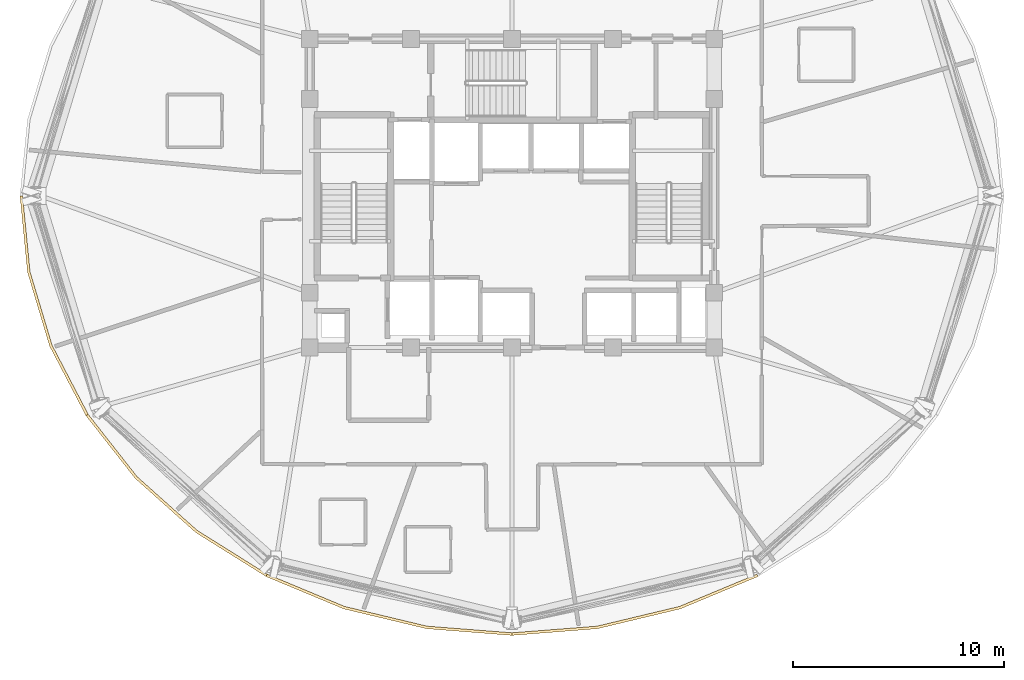
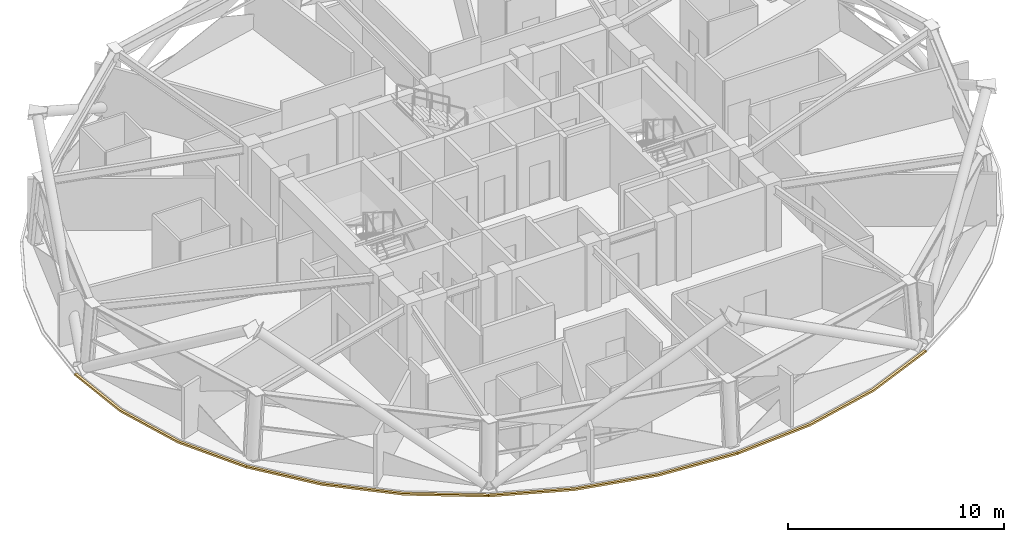
# One storey, part 9 of 12: 4 coverings.
"""IFC4 building model written with IfcOpenShell, lengths in metres."""

from ifc_helpers import new_model, si_unit, direction, frame, origin, place, context, subcontext, project, spatial, polyline, outline, extrude, material, layer, layer_set, type_object, element, save


model = new_model("IFC4")

# Units and contexts
model_context = context("Model", 3, precision=1e-05, world=origin(), true_north=direction((0.0, 1.0)))
body_context = subcontext(model_context, "Body", "Model", "MODEL_VIEW")
ifc_project = project(units=[si_unit("LENGTHUNIT", "METRE"), si_unit("AREAUNIT", "SQUARE_METRE"), si_unit("VOLUMEUNIT", "CUBIC_METRE"), si_unit("PLANEANGLEUNIT", "RADIAN"), si_unit("MASSUNIT", "GRAM", prefix="KILO")], contexts=[model_context])

# Site, building, storey
site_placement = place(None, origin())
site = spatial("IfcSite", under=ifc_project, at=site_placement, CompositionType="ELEMENT")
building_placement = place(site_placement, origin())
building = spatial("IfcBuilding", under=site, at=building_placement, Name="Vantalir Tower", CompositionType="ELEMENT")
storey_placement = place(building_placement, frame((0.0, 0.0, 197.39990234375)))
storey = spatial("IfcBuildingStorey", under=building, at=storey_placement, Name="L49", CompositionType="ELEMENT", Elevation=197.39990234375)

# Coverings
ifc_material = material(Name="Anodised champagne aluminium sill fascia", Category="aluminium")
ifc_layer = layer(ifc_material, 0.125)
ifc_layer_set = layer_set([ifc_layer], Name="Anodised champagne aluminium sill fascia")
covering_type = type_object("IfcCoveringType", Name="COV-SLAB-FASCIA-125", PredefinedType="CLADDING", material=ifc_layer_set)
covering_1_placement = place(storey_placement, frame((0.0, 0.0, -0.179931640625)))
element("IfcCovering", 1, at=covering_1_placement, inside=storey, type_object=covering_type, Name="L49 Perimeter Slab-Edge Sill Fascia 07", PredefinedType="CLADDING", context=body_context, shape_type="SweptSolid", body=[
    extrude(outline(polyline([(8.14892578125, 25.0), (8.50390625, 21.376953125), (9.556884765625, 17.864013671875), (11.277099609375, 14.568115234375), (11.385986328125, 14.631103515625), (9.675048828125, 17.906982421875), (8.626953125, 21.39892578125), (8.27392578125, 25.0), (8.14892578125, 25.0)])), origin(), (0.0, 0.0, 1.0), 0.10498046875),
])
covering_2_placement = place(storey_placement, frame((0.0, 0.0, -0.179931640625)))
element("IfcCovering", 2, at=covering_2_placement, inside=storey, type_object=covering_type, Name="L49 Perimeter Slab-Edge Sill Fascia 08", PredefinedType="CLADDING", context=body_context, shape_type="SweptSolid", body=[
    extrude(outline(polyline([(11.277099609375, 14.568115234375), (13.612060546875, 11.590087890625), (16.489990234375, 9.01806640625), (19.823974609375, 6.931884765625), (19.886962890625, 7.0400390625), (16.571044921875, 9.114013671875), (13.7080078125, 11.669921875), (11.385986328125, 14.631103515625), (11.277099609375, 14.568115234375)])), origin(), (0.0, 0.0, 1.0), 0.10498046875),
])
covering_3_placement = place(storey_placement, frame((0.0, 0.0, -0.179931640625)))
element("IfcCovering", 3, at=covering_3_placement, inside=storey, type_object=covering_type, Name="L49 Perimeter Slab-Edge Sill Fascia 09", PredefinedType="CLADDING", context=body_context, shape_type="SweptSolid", body=[
    extrude(outline(polyline([(19.823974609375, 6.931884765625), (23.512939453125, 5.39501953125), (27.445068359375, 4.4541015625), (31.5, 4.136962890625), (31.5, 4.261962890625), (27.467041015625, 4.576904296875), (23.555908203125, 5.512939453125), (19.886962890625, 7.0400390625), (19.823974609375, 6.931884765625)])), origin(), (0.0, 0.0, 1.0), 0.10498046875),
])
covering_4_placement = place(storey_placement, frame((0.0, 0.0, -0.179931640625)))
element("IfcCovering", 4, at=covering_4_placement, inside=storey, type_object=covering_type, Name="L49 Perimeter Slab-Edge Sill Fascia 10", PredefinedType="CLADDING", context=body_context, shape_type="SweptSolid", body=[
    extrude(outline(polyline([(31.5, 4.136962890625), (35.554931640625, 4.4541015625), (39.487060546875, 5.39501953125), (43.176025390625, 6.931884765625), (43.113037109375, 7.0400390625), (39.444091796875, 5.512939453125), (35.532958984375, 4.576904296875), (31.5, 4.261962890625), (31.5, 4.136962890625)])), origin(), (0.0, 0.0, 1.0), 0.10498046875),
])

save(model, "model.ifc")
